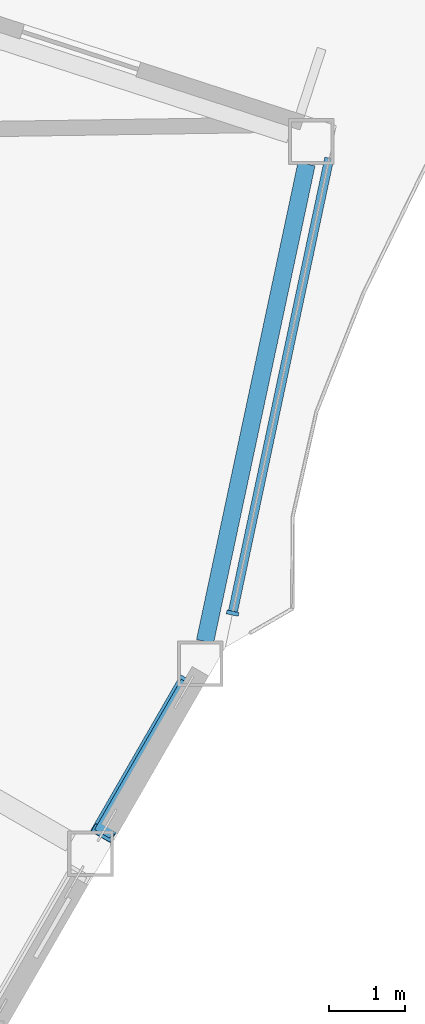
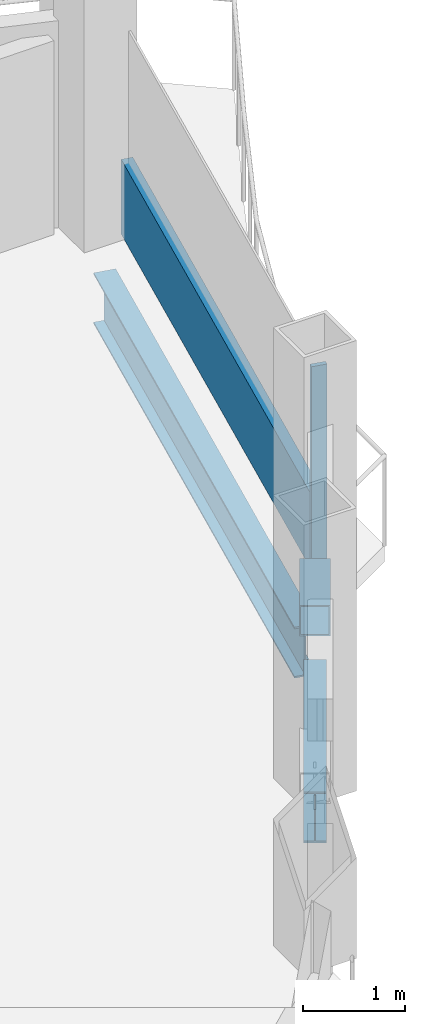
# One storey, part 8 of 26: 3 members, 2 beams, 1 element without a shape of its own.
"""IFC4 building model written with IfcOpenShell, lengths in metres."""

import ifcopenshell
import ifcopenshell.guid

model = None  # the IFC model being written
_history = None  # IfcOwnerHistory: only IFC2X3 demands one
_inside = {}  # id of a spatial element -> (the spatial element, [elements in it])
_under = {}  # id of a project, library or spatial element -> (it, [spatial elements below it])
_declared = {}  # id of a project -> (the project, [libraries it declares])
_typed = {}  # id of a type object -> (the type object, [elements of that type])
_made_of = {}  # id of a material, layer set ... -> (it, [elements and type objects made of it])


def new_model(schema):
    """Start an empty IFC model of exactly this schema.

    Asked for "IFC4X3", IfcOpenShell would pick the latest addendum, in which some entities
    have other attributes; the version numbers below select the first issue.
    IFC2X3 requires an IfcOwnerHistory on every rooted entity: one is made here for all.
    """
    global model, _history
    if schema == "IFC4X3":
        model = ifcopenshell.file(schema_version=(4, 3, 0, 0))
    else:
        model = ifcopenshell.file(schema=schema)
    _inside.clear()
    _under.clear()
    _declared.clear()
    _typed.clear()
    _made_of.clear()
    _history = None
    if model.schema == "IFC2X3":
        org = make("IfcOrganization", Name="unknown")
        user = make(
            "IfcPersonAndOrganization",
            ThePerson=make("IfcPerson", FamilyName="unknown"),
            TheOrganization=org,
        )
        app = make(
            "IfcApplication",
            ApplicationDeveloper=org,
            Version="unknown",
            ApplicationFullName="unknown",
            ApplicationIdentifier="unknown",
        )
        _history = make(
            "IfcOwnerHistory",
            OwningUser=user,
            OwningApplication=app,
            ChangeAction="ADDED",
            CreationDate=0,
        )
    return model


def make(cls, **values):
    """One entity of the class cls with the attributes given. An attribute that is None is left unset."""
    return model.create_entity(
        cls, **{name: value for name, value in values.items() if value is not None}
    )


def rooted(cls, **values):
    """An entity with a GlobalId (a new one), such as an element, a storey or a relation."""
    return make(cls, GlobalId=ifcopenshell.guid.new(), OwnerHistory=_history, **values)


def si_unit(unit_type, name, prefix=None):
    """IfcSIUnit, for example si_unit("LENGTHUNIT", "METRE", prefix="MILLI")."""
    return make("IfcSIUnit", UnitType=unit_type, Prefix=prefix, Name=name)


def assignment(units):
    """IfcUnitAssignment: the units of a project."""
    return None if units is None else make("IfcUnitAssignment", Units=units)


def point(xyz):
    """IfcCartesianPoint."""
    return None if xyz is None else make("IfcCartesianPoint", Coordinates=xyz)


def direction(xyz):
    """IfcDirection."""
    return None if xyz is None else make("IfcDirection", DirectionRatios=xyz)


def frame(location, z_axis=None, x_axis=None):
    """IfcAxis2Placement3D, a coordinate frame: its origin and axes. An axis left out is left unset."""
    return make(
        "IfcAxis2Placement3D",
        Location=point(location),
        Axis=direction(z_axis),
        RefDirection=direction(x_axis),
    )


def frame_2d(location, x_axis=None):
    """IfcAxis2Placement2D, a coordinate frame in the plane: its origin and x axis."""
    return make(
        "IfcAxis2Placement2D", Location=point(location), RefDirection=direction(x_axis)
    )


def origin():
    """The frame at (0, 0, 0) with its axes left unset."""
    return frame((0.0, 0.0, 0.0))


def origin_2d():
    """The frame at (0, 0) in the plane with its x axis left unset."""
    return frame_2d((0.0, 0.0))


def place(relative_to, where):
    """IfcLocalPlacement: puts the frame where relative to a parent placement (None: the world)."""
    return make(
        "IfcLocalPlacement", PlacementRelTo=relative_to, RelativePlacement=where
    )


def context(
    kind, dimensions, precision=None, world=None, true_north=None, identifier=None
):
    """IfcGeometricRepresentationContext, for example the 3D "Model" context."""
    return make(
        "IfcGeometricRepresentationContext",
        ContextIdentifier=identifier,
        ContextType=kind,
        CoordinateSpaceDimension=dimensions,
        Precision=precision,
        WorldCoordinateSystem=world,
        TrueNorth=true_north,
    )


def subcontext(parent, identifier, kind, view, scale=None):
    """IfcGeometricRepresentationSubContext, for example "Body" below "Model"."""
    return make(
        "IfcGeometricRepresentationSubContext",
        ContextIdentifier=identifier,
        ContextType=kind,
        ParentContext=parent,
        TargetScale=scale,
        TargetView=view,
    )


def project(units=None, contexts=None):
    """IfcProject with its units and contexts."""
    return rooted(
        "IfcProject",
        Name="project",
        RepresentationContexts=contexts,
        UnitsInContext=assignment(units),
    )


def spatial(cls, under=None, at=None, **own):
    """A site, building, storey or space (cls), placed at a placement, below another one or the project."""
    s = rooted(cls, ObjectPlacement=at, **own)
    if under is not None:
        _under.setdefault(under.id(), (under, []))[1].append(s)
    return s


def profile(cls, at=None, kind="AREA", **sizes):
    """A parametric profile (cls). Its sizes go by their IFC names, for example OverallWidth=200.0."""
    return make(cls, ProfileType=kind, Position=at, **sizes)


def rectangle(**sizes):
    """IfcRectangleProfileDef."""
    return profile("IfcRectangleProfileDef", **sizes)


def hollow_rectangle(**sizes):
    """IfcRectangleHollowProfileDef."""
    return profile("IfcRectangleHollowProfileDef", **sizes)


def i_section(**sizes):
    """IfcIShapeProfileDef."""
    return profile("IfcIShapeProfileDef", **sizes)


def extrude(swept, where, along, depth):
    """IfcExtrudedAreaSolid: the profile swept, set in the frame where, extruded along a direction by depth."""
    return make(
        "IfcExtrudedAreaSolid",
        SweptArea=swept,
        Position=where,
        ExtrudedDirection=direction(along),
        Depth=depth,
    )


def shape(context_of_items, identifier, shape_type, items):
    """IfcShapeRepresentation: the items that make up one representation, for example the "Body"."""
    return make(
        "IfcShapeRepresentation",
        ContextOfItems=context_of_items,
        RepresentationIdentifier=identifier,
        RepresentationType=shape_type,
        Items=items,
    )


def material(Name=None, Category=None):
    """IfcMaterial."""
    return make("IfcMaterial", Name=Name, Category=Category)


def layer(
    of_material, thickness, ventilated=None, Name=None, Category=None, Priority=None
):
    """IfcMaterialLayer: one layer of a wall or slab, of a material (None: an air gap)."""
    return make(
        "IfcMaterialLayer",
        Material=of_material,
        LayerThickness=thickness,
        IsVentilated=ventilated,
        Name=Name,
        Category=Category,
        Priority=Priority,
    )


def layer_set(layers, Name=None):
    """IfcMaterialLayerSet."""
    return make("IfcMaterialLayerSet", MaterialLayers=layers, LayerSetName=Name)


def material_profile(
    of_material, cross_section, Name=None, Category=None, Priority=None
):
    """IfcMaterialProfile: a cross section and its material."""
    return make(
        "IfcMaterialProfile",
        Name=Name,
        Material=of_material,
        Profile=cross_section,
        Priority=Priority,
        Category=Category,
    )


def profile_set(profiles, Name=None, composite=None):
    """IfcMaterialProfileSet."""
    return make(
        "IfcMaterialProfileSet",
        Name=Name,
        MaterialProfiles=profiles,
        CompositeProfile=composite,
    )


def made_of(thing, what):
    """Note that an element or type object is made of a material, layer set ...; save() writes the relation."""
    if what is not None:
        _made_of.setdefault(what.id(), (what, []))[1].append(thing)
    return thing


def type_object(cls, material=None, **own):
    """A type object (cls), such as IfcWallType, which elements share."""
    return made_of(rooted(cls, **own), material)


def element(
    cls,
    number,
    at=None,
    inside=None,
    cuts=None,
    type_object=None,
    material=None,
    context=None,
    identifier="Body",
    shape_type=None,
    held_by="IfcProductDefinitionShape",
    body=None,
    shapes=None,
    **own,
):
    """One element of the class cls, such as IfcWall. Its Tag is "e" and its number.

    at: its placement. inside: the storey or other place that contains it. cuts: it is an
    opening in that element (IfcRelVoidsElement). A single representation is given by context,
    identifier, shape_type and body (its items); several are given by shapes. held_by: the class
    of the entity that holds the representations. save() writes the other relations.
    """
    e = rooted(cls, Tag="e%d" % number, ObjectPlacement=at, **own)
    if body is not None:
        shapes = [shape(context, identifier, shape_type, body)]
    if shapes is not None:
        e.Representation = make(held_by, Representations=shapes)
    if inside is not None:
        _inside.setdefault(inside.id(), (inside, []))[1].append(e)
    if cuts is not None:
        rooted(
            "IfcRelVoidsElement", RelatingBuildingElement=cuts, RelatedOpeningElement=e
        )
    if type_object is not None:
        _typed.setdefault(type_object.id(), (type_object, []))[1].append(e)
    return made_of(e, material)


def aggregate(whole, parts):
    """IfcRelAggregates: a whole, such as a stair, and the parts it consists of."""
    return rooted("IfcRelAggregates", RelatingObject=whole, RelatedObjects=parts)


def save(model, path):
    """Write the relations noted so far, then the file.

    IfcRelAggregates (storeys below a building ...), IfcRelContainedInSpatialStructure (elements
    in a storey), IfcRelDefinesByType, IfcRelAssociatesMaterial and IfcRelDeclares: one each for
    every whole, place, type object, material and project.
    """
    for whole, parts in _under.values():
        aggregate(whole, parts)
    for where, things in _inside.values():
        rooted(
            "IfcRelContainedInSpatialStructure",
            RelatedElements=things,
            RelatingStructure=where,
        )
    for kind, things in _typed.values():
        rooted("IfcRelDefinesByType", RelatedObjects=things, RelatingType=kind)
    for what, things in _made_of.values():
        rooted("IfcRelAssociatesMaterial", RelatedObjects=things, RelatingMaterial=what)
    for by, libraries in _declared.values():
        rooted("IfcRelDeclares", RelatingContext=by, RelatedDefinitions=libraries)
    model.write(path)


model = new_model("IFC4")

# Units and contexts
model_context = context("Model", 3, precision=1e-05, world=origin(), true_north=direction((0.0, 1.0)))
body_context = subcontext(model_context, "Body", "Model", "MODEL_VIEW")
ifc_project = project(units=[si_unit("LENGTHUNIT", "METRE"), si_unit("AREAUNIT", "SQUARE_METRE"), si_unit("VOLUMEUNIT", "CUBIC_METRE"), si_unit("PLANEANGLEUNIT", "RADIAN"), si_unit("MASSUNIT", "GRAM", prefix="KILO")], contexts=[model_context])

# Site, building, storey
site_placement = place(None, origin())
site = spatial("IfcSite", under=ifc_project, at=site_placement, CompositionType="ELEMENT")
building_placement = place(site_placement, origin())
building = spatial("IfcBuilding", under=site, at=building_placement, Name="Cormorant Prow Tower", CompositionType="ELEMENT")
storey_placement = place(building_placement, frame((0.0, 0.0, 325.60009765625)))
storey = spatial("IfcBuildingStorey", under=building, at=storey_placement, Name="L72", CompositionType="ELEMENT", Elevation=325.60009765625)

# Member
ifc_material_1 = material(Name="Structural steel ASTM A500 Gr C", Category="steel")
ifc_material_profile_1 = material_profile(ifc_material_1, hollow_rectangle(XDim=0.3046875, YDim=0.3046875, WallThickness=0.01171875, at=origin_2d()), Name="HSS12x12x1/2")
ifc_profile_set_1 = profile_set([ifc_material_profile_1], Name="Structural steel ASTM A500 Gr C")
member_type_1 = type_object("IfcMemberType", Name="Chamfer brace HSS12x12x1/2", PredefinedType="BRACE", material=ifc_profile_set_1)
member_1_placement = place(storey_placement, frame((28.711669921875, -13.621826171875, 0.740966796875), z_axis=(-0.456247183882, -0.790292391402, 0.408994429415), x_axis=(0.866038851724, -0.499976706761, 0.0)))
element("IfcMember", 1, at=member_1_placement, inside=storey, type_object=member_type_1, Name="Chamfer brace BR3 at ESE01 L72", PredefinedType="BRACE", context=body_context, shape_type="SweptSolid", body=[
    extrude(hollow_rectangle(XDim=0.3046875, YDim=0.3046875, WallThickness=0.01171875, at=origin_2d()), origin(), (0.0, 0.0, 1.0), 2.459228515625),
])

# Curtain wall, members
ifc_material_2 = material(Name="Aluminium 6063-T6", Category="aluminium")
ifc_layer = layer(ifc_material_2, 0.159912109375)
ifc_layer_set = layer_set([ifc_layer], Name="Aluminium 6063-T6")
curtain_wall_type = type_object("IfcCurtainWallType", Name="Residential unitised curtain wall 160", PredefinedType="NOTDEFINED", material=ifc_layer_set)
curtain_wall_placement = place(storey_placement, origin())
curtain_wall = element("IfcCurtainWall", 2, at=curtain_wall_placement, inside=storey, type_object=curtain_wall_type, Name="Residential curtain wall ENE00", PredefinedType="NOTDEFINED")
ifc_material_3 = material(Name="Aluminium 6063-T6", Category="aluminium")
ifc_material_profile_2 = material_profile(ifc_material_3, rectangle(XDim=0.159912109375, YDim=0.050048828125, at=origin_2d()), Name="Residential mullion 50x160")
ifc_profile_set_2 = profile_set([ifc_material_profile_2], Name="Aluminium 6063-T6")
member_type_2 = type_object("IfcMemberType", Name="Residential mullion 50x160", PredefinedType="MULLION", material=ifc_profile_set_2)
member_2_placement = place(storey_placement, frame((29.29248046875, -12.685791015625, 0.0), z_axis=(0.0, 0.0, 1.0), x_axis=(-0.978147600676, 0.207911691091, 0.0)))
member_2 = element("IfcMember", 3, at=member_2_placement, type_object=member_type_2, Name="Residential mullion ENE00", PredefinedType="MULLION", context=body_context, shape_type="SweptSolid", body=[
    extrude(rectangle(XDim=0.159912109375, YDim=0.050048828125, at=origin_2d()), origin(), (0.0, 0.0, 1.0), 2.48779296875),
])
ifc_material_4 = material(Name="Terracotta", Category="masonry")
ifc_material_profile_3 = material_profile(ifc_material_4, rectangle(XDim=0.1201171875, YDim=0.89990234375, at=origin_2d()), Name="Residential terracotta spandrel rail 120x900")
ifc_profile_set_3 = profile_set([ifc_material_profile_3], Name="Terracotta")
member_type_3 = type_object("IfcMemberType", Name="Residential terracotta spandrel rail 120x900", PredefinedType="USERDEFINED", material=ifc_profile_set_3)
member_3_placement = place(storey_placement, frame((29.2978515625, -12.6611328125, 0.449951171875), z_axis=(0.207908765956, 0.978148222428, 0.0), x_axis=(-0.978148222428, 0.207908765956, 0.0)))
member_3 = element("IfcMember", 4, at=member_3_placement, type_object=member_type_3, Name="Residential spandrel rail ENE00", ObjectType="TRANSOM", PredefinedType="USERDEFINED", context=body_context, shape_type="SweptSolid", body=[
    extrude(rectangle(XDim=0.1201171875, YDim=0.89990234375, at=origin_2d()), origin(), (0.0, 0.0, 1.0), 6.072021484375),
])
aggregate(curtain_wall, [member_2, member_3])

# Beams
ifc_material_5 = material(Name="Structural steel ASTM A992 Gr 50", Category="steel")
ifc_material_profile_4 = material_profile(ifc_material_5, i_section(OverallWidth=0.22900390625, OverallDepth=0.612060546875, WebThickness=0.011962890625, FlangeThickness=0.01953125, at=origin_2d()), Name="W24x84")
ifc_profile_set_4 = profile_set([ifc_material_profile_4], Name="Structural steel ASTM A992 Gr 50")
beam_type = type_object("IfcBeamType", Name="Spandrel beam W24x84", PredefinedType="SPANDREL", material=ifc_profile_set_4)
beam_1_placement = place(storey_placement, frame((27.582275390625, -15.578125, -0.606201171875), z_axis=(0.500053962254, 0.865994246421, 0.0), x_axis=(-0.865994246421, 0.500053962254, 0.0)))
element("IfcBeam", 5, at=beam_1_placement, inside=storey, type_object=beam_type, Name="Spandrel beam SB3 ESE01-ENE00 L72", PredefinedType="SPANDREL", context=body_context, shape_type="SweptSolid", body=[
    extrude(i_section(OverallWidth=0.22900390625, OverallDepth=0.612060546875, WebThickness=0.011962890625, FlangeThickness=0.01953125, at=origin_2d()), origin(), (0.0, 0.0, 1.0), 2.273681640625),
])
beam_2_placement = place(storey_placement, frame((28.931640625, -13.055908203125, -0.606201171875), z_axis=(0.20791262393, 0.978147402394, 0.0), x_axis=(-0.978147402394, 0.20791262393, 0.0)))
element("IfcBeam", 6, at=beam_2_placement, inside=storey, type_object=beam_type, Name="Spandrel beam SB3 ENE00-ENE01 L72", PredefinedType="SPANDREL", context=body_context, shape_type="SweptSolid", body=[
    extrude(i_section(OverallWidth=0.22900390625, OverallDepth=0.612060546875, WebThickness=0.011962890625, FlangeThickness=0.01953125, at=origin_2d()), origin(), (0.0, 0.0, 1.0), 6.396240234375),
])

save(model, "model.ifc")
